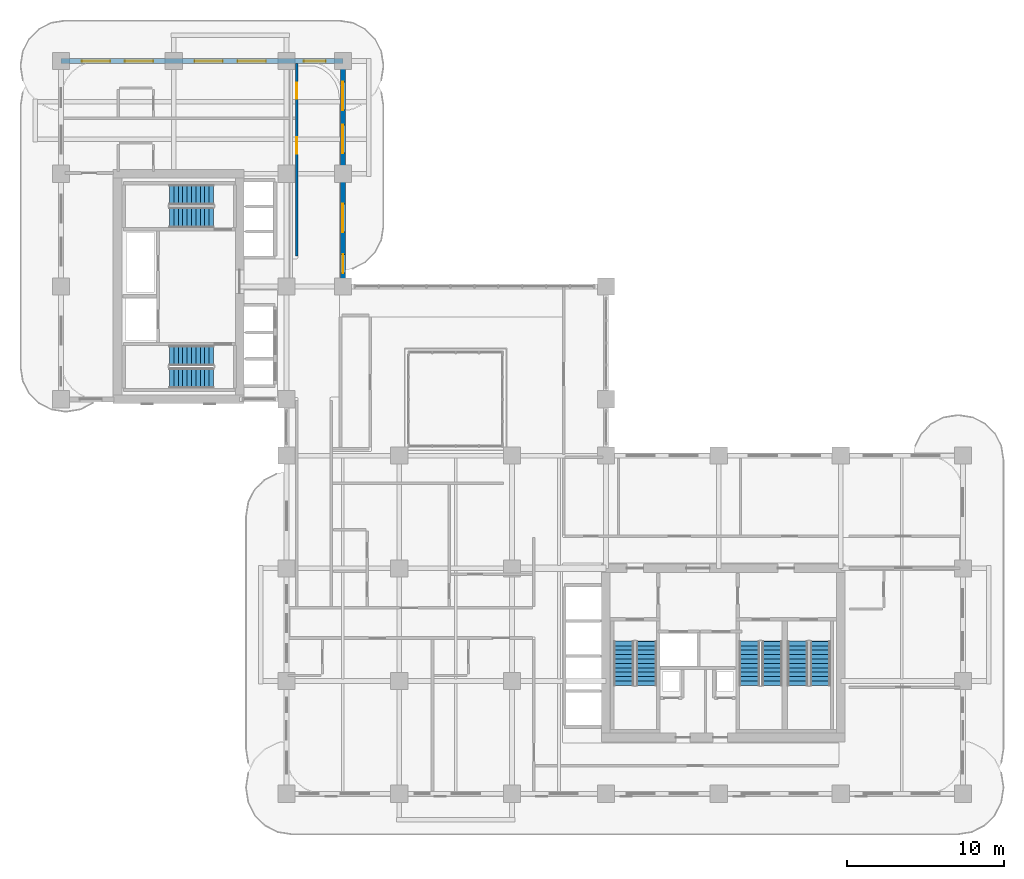
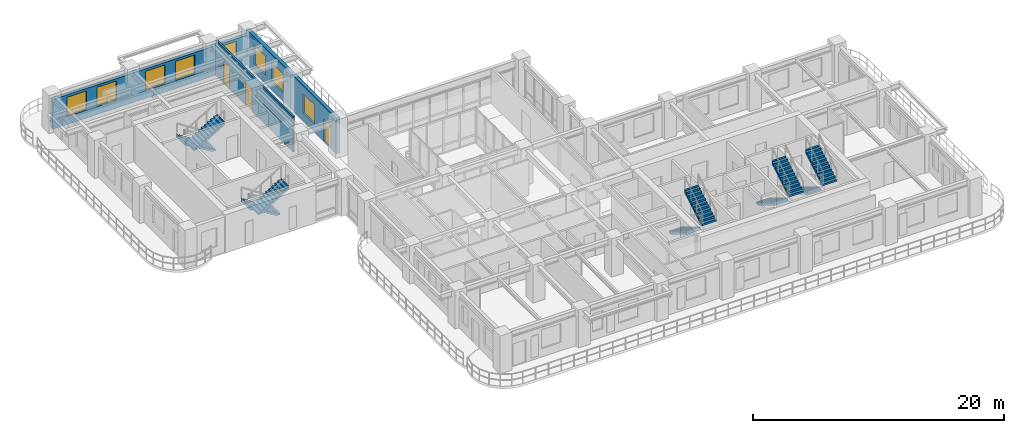
# One storey, part 17 of 22: 10 stair flights, 8 windows, 3 doors, 3 walls, 11 openings, 5 elements without a shape of their own.
"""IFC4 building model written with IfcOpenShell, lengths in metres."""

from ifc_helpers import new_model, si_unit, derived_unit, direction, frame, frame_2d, origin, place, context, subcontext, project, spatial, polyline, rectangle, outline, extrude, source, transform, mapped, material, layer, layer_set, type_object, type_shapes, element, fill, aggregate, save


model = new_model("IFC4")

# Units and contexts
model_context = context("Model", 3, precision=1e-05, world=origin(), true_north=direction((0.0, 1.0)))
body_context = subcontext(model_context, "Body", "Model", "MODEL_VIEW")
ifc_project = project(units=[si_unit("LENGTHUNIT", "METRE"), si_unit("AREAUNIT", "SQUARE_METRE"), si_unit("VOLUMEUNIT", "CUBIC_METRE"), si_unit("PLANEANGLEUNIT", "RADIAN"), si_unit("MASSUNIT", "GRAM", prefix="KILO"), si_unit("THERMODYNAMICTEMPERATUREUNIT", "KELVIN"), si_unit("POWERUNIT", "WATT"), derived_unit("THERMALTRANSMITTANCEUNIT", [(si_unit("POWERUNIT", "WATT"), 1), (si_unit("AREAUNIT", "SQUARE_METRE"), -1), (si_unit("THERMODYNAMICTEMPERATUREUNIT", "KELVIN"), -1)])], contexts=[model_context])

# Site, building, storey
site_placement = place(None, origin())
site = spatial("IfcSite", under=ifc_project, at=site_placement, CompositionType="ELEMENT")
building_placement = place(site_placement, origin())
building = spatial("IfcBuilding", under=site, at=building_placement, Name="Zahravan Archway Hotel and Residences", CompositionType="ELEMENT")
storey_placement = place(building_placement, frame((0.0, 0.0, 84.199951171875)))
storey = spatial("IfcBuildingStorey", under=building, at=storey_placement, Name="L20", CompositionType="ELEMENT", Elevation=84.199951171875)

# Wall, openings, windows
ifc_material_1 = material(Name="Agra Buff Sandstone & Insulated Backup", Category="masonry")
ifc_layer_1 = layer(ifc_material_1, 0.320068359375, Name="Agra Buff Sandstone & Insulated Backup", Category="masonry")
ifc_layer_set_1 = layer_set([ifc_layer_1], Name="Agra Buff Sandstone & Insulated Backup")
wall_type_1 = type_object("IfcWallType", Name="EW-SAND-320", PredefinedType="SOLIDWALL", material=ifc_layer_set_1)
wall_1_placement = place(storey_placement, frame((0.0, 46.800048828125, 0.0), z_axis=(0.0, 0.0, 1.0), x_axis=(1.0, 0.0, 0.0)))
wall_1 = element("IfcWall", 1, at=wall_1_placement, inside=storey, type_object=wall_type_1, Name="L20 Exterior Sandstone Wall WB-N", PredefinedType="SOLIDWALL", context=body_context, shape_type="SweptSolid", body=[
    extrude(rectangle(XDim=18.0, YDim=0.320068359375, at=frame_2d((9.0, 0.0))), origin(), (0.0, 0.0, 1.0), 2.885009765625),
])
opening_1_placement = place(wall_1_placement, frame((1.324951171875, 0.0, 0.800048828125)))
opening_1 = element("IfcOpeningElement", 2, at=opening_1_placement, cuts=wall_1, Name="Opening W-02", PredefinedType="OPENING", context=body_context, shape_type="SweptSolid", body=[
    extrude(rectangle(XDim=1.800048828125, YDim=1.85009765625, at=frame_2d((0.89990234375, 0.925048828125))), frame((0.0, 0.169921875, 0.0), z_axis=(0.0, -1.0, 0.0), x_axis=(1.0, 0.0, 0.0)), (0.0, 0.0, 1.0), 0.340087890625),
])
opening_2_placement = place(wall_1_placement, frame((4.074951171875, 0.0, 0.800048828125)))
opening_2 = element("IfcOpeningElement", 3, at=opening_2_placement, cuts=wall_1, Name="Opening W-02", PredefinedType="OPENING", context=body_context, shape_type="SweptSolid", body=[
    extrude(rectangle(XDim=1.800048828125, YDim=1.85009765625, at=frame_2d((0.89990234375, 0.925048828125))), frame((0.0, 0.169921875, 0.0), z_axis=(0.0, -1.0, 0.0), x_axis=(1.0, 0.0, 0.0)), (0.0, 0.0, 1.0), 0.340087890625),
])
opening_3_placement = place(wall_1_placement, frame((8.52490234375, 0.0, 0.800048828125)))
opening_3 = element("IfcOpeningElement", 4, at=opening_3_placement, cuts=wall_1, Name="Opening W-02", PredefinedType="OPENING", context=body_context, shape_type="SweptSolid", body=[
    extrude(rectangle(XDim=1.800048828125, YDim=1.85009765625, at=frame_2d((0.89990234375, 0.925048828125))), frame((0.0, 0.169921875, 0.0), z_axis=(0.0, -1.0, 0.0), x_axis=(1.0, 0.0, 0.0)), (0.0, 0.0, 1.0), 0.340087890625),
])
opening_4_placement = place(wall_1_placement, frame((11.27490234375, 0.0, 0.800048828125)))
opening_4 = element("IfcOpeningElement", 5, at=opening_4_placement, cuts=wall_1, Name="Opening W-02", PredefinedType="OPENING", context=body_context, shape_type="SweptSolid", body=[
    extrude(rectangle(XDim=1.800048828125, YDim=1.85009765625, at=frame_2d((0.89990234375, 0.925048828125))), frame((0.0, 0.169921875, 0.0), z_axis=(0.0, -1.0, 0.0), x_axis=(1.0, 0.0, 0.0)), (0.0, 0.0, 1.0), 0.340087890625),
])
opening_5_placement = place(wall_1_placement, frame((15.5, 0.0, 0.800048828125)))
opening_5 = element("IfcOpeningElement", 6, at=opening_5_placement, cuts=wall_1, Name="Opening W-03", PredefinedType="OPENING", context=body_context, shape_type="SweptSolid", body=[
    extrude(rectangle(XDim=1.39990234375, YDim=1.85009765625, at=frame_2d((0.699951171875, 0.925048828125))), frame((0.0, 0.169921875, 0.0), z_axis=(0.0, -1.0, 0.0), x_axis=(1.0, 0.0, 0.0)), (0.0, 0.0, 1.0), 0.340087890625),
])
ifc_material_2 = material(Name="Bronze-Anodized Thermal-Break Aluminium & Low-E Glass", Category="aluminium")
window_type_1 = type_object("IfcWindowType", Name="WIN-TWR-1400", PartitioningType="SINGLE_PANEL", PredefinedType="WINDOW", material=ifc_material_2)
shared_shape_1 = source(origin(), body_context, "Body", "SweptSolid", [
    extrude(rectangle(XDim=1.39990234375, YDim=1.85009765625, at=frame_2d((0.699951171875, 0.925048828125))), frame((0.0, 0.030029296875, 0.0), z_axis=(0.0, -1.0, 0.0), x_axis=(1.0, 0.0, 0.0)), (0.0, 0.0, 1.0), 0.06005859375),
])
type_shapes(window_type_1, [shared_shape_1])
window_1_placement = place(opening_5_placement, origin())
window_1 = element("IfcWindow", 7, at=window_1_placement, inside=storey, type_object=window_type_1, Name="L20 Loggia Window 37", OverallHeight=1.85009765625, OverallWidth=1.39990234375, PartitioningType="SINGLE_PANEL", PredefinedType="WINDOW", context=body_context, shape_type="MappedRepresentation", body=[
    mapped(shared_shape_1, transform((0.0, 0.0, 0.0), scale=1.0)),
])
fill(opening_5, window_1)
window_type_2 = type_object("IfcWindowType", Name="WIN-TWR-1800", PartitioningType="DOUBLE_PANEL_VERTICAL", PredefinedType="WINDOW", material=ifc_material_2)
shared_shape_2 = source(origin(), body_context, "Body", "SweptSolid", [
    extrude(rectangle(XDim=1.800048828125, YDim=1.85009765625, at=frame_2d((0.89990234375, 0.925048828125))), frame((0.0, 0.030029296875, 0.0), z_axis=(0.0, -1.0, 0.0), x_axis=(1.0, 0.0, 0.0)), (0.0, 0.0, 1.0), 0.06005859375),
])
type_shapes(window_type_2, [shared_shape_2])
window_2_placement = place(opening_1_placement, origin())
window_2 = element("IfcWindow", 8, at=window_2_placement, inside=storey, type_object=window_type_2, Name="L20 Loggia Window 33", OverallHeight=1.85009765625, OverallWidth=1.800048828125, PartitioningType="DOUBLE_PANEL_VERTICAL", PredefinedType="WINDOW", context=body_context, shape_type="MappedRepresentation", body=[
    mapped(shared_shape_2, transform((0.0, 0.0, 0.0), scale=1.0)),
])
fill(opening_1, window_2)
window_3_placement = place(opening_2_placement, origin())
window_3 = element("IfcWindow", 9, at=window_3_placement, inside=storey, type_object=window_type_2, Name="L20 Loggia Window 34", OverallHeight=1.85009765625, OverallWidth=1.800048828125, PartitioningType="DOUBLE_PANEL_VERTICAL", PredefinedType="WINDOW", context=body_context, shape_type="MappedRepresentation", body=[
    mapped(shared_shape_2, transform((0.0, 0.0, 0.0), scale=1.0)),
])
fill(opening_2, window_3)
window_4_placement = place(opening_3_placement, origin())
window_4 = element("IfcWindow", 10, at=window_4_placement, inside=storey, type_object=window_type_2, Name="L20 Loggia Window 35", OverallHeight=1.85009765625, OverallWidth=1.800048828125, PartitioningType="DOUBLE_PANEL_VERTICAL", PredefinedType="WINDOW", context=body_context, shape_type="MappedRepresentation", body=[
    mapped(shared_shape_2, transform((0.0, 0.0, 0.0), scale=1.0)),
])
fill(opening_3, window_4)
window_5_placement = place(opening_4_placement, origin())
window_5 = element("IfcWindow", 11, at=window_5_placement, inside=storey, type_object=window_type_2, Name="L20 Loggia Window 36", OverallHeight=1.85009765625, OverallWidth=1.800048828125, PartitioningType="DOUBLE_PANEL_VERTICAL", PredefinedType="WINDOW", context=body_context, shape_type="MappedRepresentation", body=[
    mapped(shared_shape_2, transform((0.0, 0.0, 0.0), scale=1.0)),
])
fill(opening_4, window_5)

# Wall, openings, door, windows
wall_2_placement = place(storey_placement, frame((18.0, 32.39990234375, 0.0), z_axis=(0.0, 0.0, 1.0), x_axis=(0.0, 1.0, 0.0)))
wall_2 = element("IfcWall", 12, at=wall_2_placement, inside=storey, type_object=wall_type_1, Name="L20 Exterior Sandstone Wall WB-EU", PredefinedType="SOLIDWALL", context=body_context, shape_type="SweptSolid", body=[
    extrude(rectangle(XDim=14.35009765625, YDim=0.320068359375, at=frame_2d((7.175048828125, 0.0))), origin(), (0.0, 0.0, 1.0), 3.449951171875),
])
opening_6_placement = place(wall_2_placement, frame((0.85009765625, 0.0, 0.0)))
opening_6 = element("IfcOpeningElement", 13, at=opening_6_placement, cuts=wall_2, Name="Opening ED-BL1", PredefinedType="OPENING", context=body_context, shape_type="SweptSolid", body=[
    extrude(rectangle(XDim=1.199951171875, YDim=2.199951171875, at=frame_2d((0.60009765625, 1.10009765625))), frame((0.0, 0.169921875, 0.0), z_axis=(0.0, -1.0, 0.0), x_axis=(1.0, 0.0, 0.0)), (0.0, 0.0, 1.0), 0.340087890625),
])
opening_7_placement = place(wall_2_placement, frame((3.47509765625, 0.0, 0.800048828125)))
opening_7 = element("IfcOpeningElement", 14, at=opening_7_placement, cuts=wall_2, Name="Opening W-02", PredefinedType="OPENING", context=body_context, shape_type="SweptSolid", body=[
    extrude(rectangle(XDim=1.800048828125, YDim=1.85009765625, at=frame_2d((0.89990234375, 0.925048828125))), frame((0.0, 0.169921875, 0.0), z_axis=(0.0, -1.0, 0.0), x_axis=(1.0, 0.0, 0.0)), (0.0, 0.0, 1.0), 0.340087890625),
])
opening_8_placement = place(wall_2_placement, frame((8.52490234375, 0.0, 0.800048828125)))
opening_8 = element("IfcOpeningElement", 15, at=opening_8_placement, cuts=wall_2, Name="Opening W-02", PredefinedType="OPENING", context=body_context, shape_type="SweptSolid", body=[
    extrude(rectangle(XDim=1.800048828125, YDim=1.85009765625, at=frame_2d((0.89990234375, 0.925048828125))), frame((0.0, 0.169921875, 0.0), z_axis=(0.0, -1.0, 0.0), x_axis=(1.0, 0.0, 0.0)), (0.0, 0.0, 1.0), 0.340087890625),
])
opening_9_placement = place(wall_2_placement, frame((11.27490234375, 0.0, 0.800048828125)))
opening_9 = element("IfcOpeningElement", 16, at=opening_9_placement, cuts=wall_2, Name="Opening W-02", PredefinedType="OPENING", context=body_context, shape_type="SweptSolid", body=[
    extrude(rectangle(XDim=1.800048828125, YDim=1.85009765625, at=frame_2d((0.89990234375, 0.925048828125))), frame((0.0, 0.169921875, 0.0), z_axis=(0.0, -1.0, 0.0), x_axis=(1.0, 0.0, 0.0)), (0.0, 0.0, 1.0), 0.340087890625),
])
ifc_material_3 = material(Name="Bronze-Anodized Glazed Aluminium", Category="aluminium")
door_type_1 = type_object("IfcDoorType", Name="ED-BALC-1200", OperationType="SLIDING_TO_LEFT", PredefinedType="DOOR", material=ifc_material_3)
shared_shape_3 = source(origin(), body_context, "Body", "SweptSolid", [
    extrude(rectangle(XDim=1.199951171875, YDim=2.199951171875, at=frame_2d((0.60009765625, 1.10009765625))), frame((0.0, 0.02490234375, 0.0), z_axis=(0.0, -1.0, 0.0), x_axis=(1.0, 0.0, 0.0)), (0.0, 0.0, 1.0), 0.050048828125),
])
type_shapes(door_type_1, [shared_shape_3])
door_1_placement = place(opening_6_placement, origin())
door_1 = element("IfcDoor", 17, at=door_1_placement, inside=storey, type_object=door_type_1, Name="L20 Outdoor Access Sliding Door (SLB-BAL-L20-EB)", OperationType="SLIDING_TO_LEFT", OverallHeight=2.199951171875, OverallWidth=1.199951171875, PredefinedType="DOOR", context=body_context, shape_type="MappedRepresentation", body=[
    mapped(shared_shape_3, transform((0.0, 0.0, 0.0), scale=1.0)),
])
fill(opening_6, door_1)
window_6_placement = place(opening_7_placement, origin())
window_6 = element("IfcWindow", 18, at=window_6_placement, inside=storey, type_object=window_type_2, Name="L20 Loggia Window 38", OverallHeight=1.85009765625, OverallWidth=1.800048828125, PartitioningType="DOUBLE_PANEL_VERTICAL", PredefinedType="WINDOW", context=body_context, shape_type="MappedRepresentation", body=[
    mapped(shared_shape_2, transform((0.0, 0.0, 0.0), scale=1.0)),
])
fill(opening_7, window_6)
window_7_placement = place(opening_8_placement, origin())
window_7 = element("IfcWindow", 19, at=window_7_placement, inside=storey, type_object=window_type_2, Name="L20 Loggia Window 39", OverallHeight=1.85009765625, OverallWidth=1.800048828125, PartitioningType="DOUBLE_PANEL_VERTICAL", PredefinedType="WINDOW", context=body_context, shape_type="MappedRepresentation", body=[
    mapped(shared_shape_2, transform((0.0, 0.0, 0.0), scale=1.0)),
])
fill(opening_8, window_7)
window_8_placement = place(opening_9_placement, origin())
window_8 = element("IfcWindow", 20, at=window_8_placement, inside=storey, type_object=window_type_2, Name="L20 Loggia Window 40", OverallHeight=1.85009765625, OverallWidth=1.800048828125, PartitioningType="DOUBLE_PANEL_VERTICAL", PredefinedType="WINDOW", context=body_context, shape_type="MappedRepresentation", body=[
    mapped(shared_shape_2, transform((0.0, 0.0, 0.0), scale=1.0)),
])
fill(opening_9, window_8)

# Wall, openings, doors
ifc_material_4 = material(Name="Fire-Rated Gypsum & Concrete Block", Category="concrete")
ifc_layer_2 = layer(ifc_material_4, 0.159912109375, Name="Fire-Rated Gypsum & Concrete Block", Category="concrete")
ifc_layer_set_2 = layer_set([ifc_layer_2], Name="Fire-Rated Gypsum & Concrete Block")
wall_type_2 = type_object("IfcWallType", Name="PW-CORR-160", PredefinedType="PARTITIONING", material=ifc_layer_set_2)
wall_3_placement = place(storey_placement, frame((15.050048828125, 34.340087890625, 0.0), z_axis=(0.0, 0.0, 1.0), x_axis=(0.0, 1.0, 0.0)))
wall_3 = element("IfcWall", 21, at=wall_3_placement, inside=storey, type_object=wall_type_2, Name="L20 Partition WBN-C", PredefinedType="PARTITIONING", context=body_context, shape_type="SweptSolid", body=[
    extrude(rectangle(XDim=12.2919921875, YDim=0.159912109375, at=frame_2d((6.14599609375, 0.0))), origin(), (0.0, 0.0, 1.0), 3.449951171875),
])
opening_10_placement = place(wall_3_placement, frame((6.534912109375, 0.0, 0.0)))
opening_10 = element("IfcOpeningElement", 22, at=opening_10_placement, cuts=wall_3, Name="Opening D-U1", PredefinedType="OPENING", context=body_context, shape_type="SweptSolid", body=[
    extrude(rectangle(XDim=1.050048828125, YDim=2.25, at=frame_2d((0.52490234375, 1.125))), frame((0.0, 0.08984375, 0.0), z_axis=(0.0, -1.0, 0.0), x_axis=(1.0, 0.0, 0.0)), (0.0, 0.0, 1.0), 0.179931640625),
])
opening_11_placement = place(wall_3_placement, frame((10.06005859375, 0.0, 0.0)))
opening_11 = element("IfcOpeningElement", 23, at=opening_11_placement, cuts=wall_3, Name="Opening D-U2", PredefinedType="OPENING", context=body_context, shape_type="SweptSolid", body=[
    extrude(rectangle(XDim=1.0, YDim=2.199951171875, at=frame_2d((0.5, 1.10009765625))), frame((0.0, 0.08984375, 0.0), z_axis=(0.0, -1.0, 0.0), x_axis=(1.0, 0.0, 0.0)), (0.0, 0.0, 1.0), 0.179931640625),
])
ifc_material_5 = material(Name="Hardwood Veneer Timber", Category="wood")
door_type_2 = type_object("IfcDoorType", Name="ID-UNIT-1050", OperationType="NOTDEFINED", PredefinedType="DOOR", material=ifc_material_5)
shared_shape_4 = source(origin(), body_context, "Body", "SweptSolid", [
    extrude(rectangle(XDim=1.050048828125, YDim=2.25, at=frame_2d((0.52490234375, 1.125))), frame((0.0, 0.02490234375, 0.0), z_axis=(0.0, -1.0, 0.0), x_axis=(1.0, 0.0, 0.0)), (0.0, 0.0, 1.0), 0.050048828125),
])
type_shapes(door_type_2, [shared_shape_4])
door_2_placement = place(opening_10_placement, origin())
door_2 = element("IfcDoor", 24, at=door_2_placement, inside=storey, type_object=door_type_2, Name="L20 Hotel Guestroom 76 Entrance Door", OperationType="SINGLE_SWING_RIGHT", OverallHeight=2.25, OverallWidth=1.050048828125, PredefinedType="DOOR", context=body_context, shape_type="MappedRepresentation", body=[
    mapped(shared_shape_4, transform((0.0, 0.0, 0.0), scale=1.0)),
])
fill(opening_10, door_2)
door_type_3 = type_object("IfcDoorType", Name="ID-UNIT-1000", OperationType="NOTDEFINED", PredefinedType="DOOR", material=ifc_material_5)
shared_shape_5 = source(origin(), body_context, "Body", "SweptSolid", [
    extrude(rectangle(XDim=1.0, YDim=2.199951171875, at=frame_2d((0.5, 1.10009765625))), frame((0.0, 0.02490234375, 0.0), z_axis=(0.0, -1.0, 0.0), x_axis=(1.0, 0.0, 0.0)), (0.0, 0.0, 1.0), 0.050048828125),
])
type_shapes(door_type_3, [shared_shape_5])
door_3_placement = place(opening_11_placement, origin())
door_3 = element("IfcDoor", 25, at=door_3_placement, inside=storey, type_object=door_type_3, Name="L20 Hotel Guestroom 77 Entrance Door", OperationType="SINGLE_SWING_LEFT", OverallHeight=2.199951171875, OverallWidth=1.0, PredefinedType="DOOR", context=body_context, shape_type="MappedRepresentation", body=[
    mapped(shared_shape_5, transform((0.0, 0.0, 0.0), scale=1.0)),
])
fill(opening_11, door_3)

# Stair, stair flights
ifc_material_6 = material(Name="Concrete C50/60", Category="concrete")
stair_type = type_object("IfcStairType", Name="STR-CORE-1300", PredefinedType="HALF_TURN_STAIR", material=ifc_material_6)
stair_1_placement = place(storey_placement, origin())
stair_1 = element("IfcStair", 26, at=stair_1_placement, inside=storey, type_object=stair_type, Name="L20 Core A Exit Stair 1", PredefinedType="HALF_TURN_STAIR")
ifc_layer_3 = layer(ifc_material_6, 0.199951171875, Name="Concrete C50/60", Category="concrete")
ifc_layer_set_3 = layer_set([ifc_layer_3], Name="Concrete C50/60")
stair_flight_type = type_object("IfcStairFlightType", Name="SFL-CORE-1300", PredefinedType="STRAIGHT", material=ifc_layer_set_3)
shared_shape_6 = source(origin(), body_context, "Body", "SweptSolid", [
    extrude(outline(polyline([(-0.01611328125, 0.0), (-0.01611328125, 0.168212890625), (0.280029296875, 0.168212890625), (0.280029296875, 0.33642578125), (0.56005859375, 0.33642578125), (0.56005859375, 0.504638671875), (0.840087890625, 0.504638671875), (0.840087890625, 0.672607421875), (1.1201171875, 0.672607421875), (1.1201171875, 0.8408203125), (1.39990234375, 0.8408203125), (1.39990234375, 1.009033203125), (1.679931640625, 1.009033203125), (1.679931640625, 1.17724609375), (1.9599609375, 1.17724609375), (1.9599609375, 1.345458984375), (2.239990234375, 1.345458984375), (2.239990234375, 1.513671875), (2.52001953125, 1.513671875), (2.52001953125, 1.681884765625), (2.800048828125, 1.681884765625), (2.800048828125, 1.85009765625), (2.816162109375, 1.85009765625), (2.816162109375, 1.5068359375), (0.291015625, 0.0), (-0.01611328125, 0.0)])), frame((0.0, 0.64990234375, 0.0), z_axis=(0.0, -1.0, 0.0), x_axis=(1.0, 0.0, 0.0)), (0.0, 0.0, 1.0), 1.300048828125),
])
stair_flight_1_placement = place(storey_placement, frame((35.949951171875, 9.72998046875, 0.0), z_axis=(0.0, 0.0, 1.0), x_axis=(0.0, -1.0, 0.0)))
stair_flight_1 = element("IfcStairFlight", 27, at=stair_flight_1_placement, type_object=stair_flight_type, Name="ST-A1 flight 1", NumberOfRisers=11, NumberOfTreads=10, PredefinedType="STRAIGHT", RiserHeight=0.168181818, TreadLength=0.28, context=body_context, shape_type="MappedRepresentation", body=[
    mapped(shared_shape_6, transform((0.0, 0.0, 0.0), scale=1.0)),
])
stair_flight_2_placement = place(storey_placement, frame((37.389892578125, 6.929931640625, 1.85009765625), z_axis=(0.0, 0.0, 1.0), x_axis=(0.0, 1.0, 0.0)))
stair_flight_2 = element("IfcStairFlight", 28, at=stair_flight_2_placement, type_object=stair_flight_type, Name="ST-A1 flight 2", NumberOfRisers=11, NumberOfTreads=10, PredefinedType="STRAIGHT", RiserHeight=0.168181818, TreadLength=0.28, context=body_context, shape_type="MappedRepresentation", body=[
    mapped(shared_shape_6, transform((0.0, 0.0, 0.0), scale=1.0)),
])
aggregate(stair_1, [stair_flight_1, stair_flight_2])

stair_2_placement = place(storey_placement, origin())
stair_2 = element("IfcStair", 29, at=stair_2_placement, inside=storey, type_object=stair_type, Name="L20 Core A Exit Stair 2", PredefinedType="HALF_TURN_STAIR")
stair_flight_3_placement = place(storey_placement, frame((43.969970703125, 9.72998046875, 0.0), z_axis=(0.0, 0.0, 1.0), x_axis=(0.0, -1.0, 0.0)))
stair_flight_3 = element("IfcStairFlight", 30, at=stair_flight_3_placement, type_object=stair_flight_type, Name="ST-A2 flight 1", NumberOfRisers=11, NumberOfTreads=10, PredefinedType="STRAIGHT", RiserHeight=0.168181818, TreadLength=0.28, context=body_context, shape_type="MappedRepresentation", body=[
    mapped(shared_shape_6, transform((0.0, 0.0, 0.0), scale=1.0)),
])
stair_flight_4_placement = place(storey_placement, frame((45.409912109375, 6.929931640625, 1.85009765625), z_axis=(0.0, 0.0, 1.0), x_axis=(0.0, 1.0, 0.0)))
stair_flight_4 = element("IfcStairFlight", 31, at=stair_flight_4_placement, type_object=stair_flight_type, Name="ST-A2 flight 2", NumberOfRisers=11, NumberOfTreads=10, PredefinedType="STRAIGHT", RiserHeight=0.168181818, TreadLength=0.28, context=body_context, shape_type="MappedRepresentation", body=[
    mapped(shared_shape_6, transform((0.0, 0.0, 0.0), scale=1.0)),
])
aggregate(stair_2, [stair_flight_3, stair_flight_4])

stair_3_placement = place(storey_placement, origin())
stair_3 = element("IfcStair", 32, at=stair_3_placement, inside=storey, type_object=stair_type, Name="L20 Core A Exit Stair 3", PredefinedType="HALF_TURN_STAIR")
stair_flight_5_placement = place(storey_placement, frame((47.050048828125, 9.72998046875, 0.0), z_axis=(0.0, 0.0, 1.0), x_axis=(0.0, -1.0, 0.0)))
stair_flight_5 = element("IfcStairFlight", 33, at=stair_flight_5_placement, type_object=stair_flight_type, Name="ST-A3 flight 1", NumberOfRisers=11, NumberOfTreads=10, PredefinedType="STRAIGHT", RiserHeight=0.168181818, TreadLength=0.28, context=body_context, shape_type="MappedRepresentation", body=[
    mapped(shared_shape_6, transform((0.0, 0.0, 0.0), scale=1.0)),
])
stair_flight_6_placement = place(storey_placement, frame((48.489990234375, 6.929931640625, 1.85009765625), z_axis=(0.0, 0.0, 1.0), x_axis=(0.0, 1.0, 0.0)))
stair_flight_6 = element("IfcStairFlight", 34, at=stair_flight_6_placement, type_object=stair_flight_type, Name="ST-A3 flight 2", NumberOfRisers=11, NumberOfTreads=10, PredefinedType="STRAIGHT", RiserHeight=0.168181818, TreadLength=0.28, context=body_context, shape_type="MappedRepresentation", body=[
    mapped(shared_shape_6, transform((0.0, 0.0, 0.0), scale=1.0)),
])
aggregate(stair_3, [stair_flight_5, stair_flight_6])

stair_4_placement = place(storey_placement, origin())
stair_4 = element("IfcStair", 35, at=stair_4_placement, inside=storey, type_object=stair_type, Name="L20 Core B Exit Stair 1", PredefinedType="HALF_TURN_STAIR")
stair_flight_7_placement = place(storey_placement, frame((9.72998046875, 27.989990234375, 0.0), z_axis=(0.0, 0.0, 1.0), x_axis=(-1.0, 0.0, 0.0)))
stair_flight_7 = element("IfcStairFlight", 36, at=stair_flight_7_placement, type_object=stair_flight_type, Name="ST-B1 flight 1", NumberOfRisers=11, NumberOfTreads=10, PredefinedType="STRAIGHT", RiserHeight=0.168181818, TreadLength=0.28, context=body_context, shape_type="MappedRepresentation", body=[
    mapped(shared_shape_6, transform((0.0, 0.0, 0.0), scale=1.0)),
])
stair_flight_8_placement = place(storey_placement, frame((6.929931640625, 26.550048828125, 1.85009765625), z_axis=(0.0, 0.0, 1.0), x_axis=(1.0, 0.0, 0.0)))
stair_flight_8 = element("IfcStairFlight", 37, at=stair_flight_8_placement, type_object=stair_flight_type, Name="ST-B1 flight 2", NumberOfRisers=11, NumberOfTreads=10, PredefinedType="STRAIGHT", RiserHeight=0.168181818, TreadLength=0.28, context=body_context, shape_type="MappedRepresentation", body=[
    mapped(shared_shape_6, transform((0.0, 0.0, 0.0), scale=1.0)),
])
aggregate(stair_4, [stair_flight_7, stair_flight_8])

stair_5_placement = place(storey_placement, origin())
stair_5 = element("IfcStair", 38, at=stair_5_placement, inside=storey, type_object=stair_type, Name="L20 Core B Exit Stair 2", PredefinedType="HALF_TURN_STAIR")
stair_flight_9_placement = place(storey_placement, frame((9.72998046875, 38.25, 0.0), z_axis=(0.0, 0.0, 1.0), x_axis=(-1.0, 0.0, 0.0)))
stair_flight_9 = element("IfcStairFlight", 39, at=stair_flight_9_placement, type_object=stair_flight_type, Name="ST-B2 flight 1", NumberOfRisers=11, NumberOfTreads=10, PredefinedType="STRAIGHT", RiserHeight=0.168181818, TreadLength=0.28, context=body_context, shape_type="MappedRepresentation", body=[
    mapped(shared_shape_6, transform((0.0, 0.0, 0.0), scale=1.0)),
])
stair_flight_10_placement = place(storey_placement, frame((6.929931640625, 36.81005859375, 1.85009765625), z_axis=(0.0, 0.0, 1.0), x_axis=(1.0, 0.0, 0.0)))
stair_flight_10 = element("IfcStairFlight", 40, at=stair_flight_10_placement, type_object=stair_flight_type, Name="ST-B2 flight 2", NumberOfRisers=11, NumberOfTreads=10, PredefinedType="STRAIGHT", RiserHeight=0.168181818, TreadLength=0.28, context=body_context, shape_type="MappedRepresentation", body=[
    mapped(shared_shape_6, transform((0.0, 0.0, 0.0), scale=1.0)),
])
aggregate(stair_5, [stair_flight_9, stair_flight_10])

save(model, "model.ifc")
